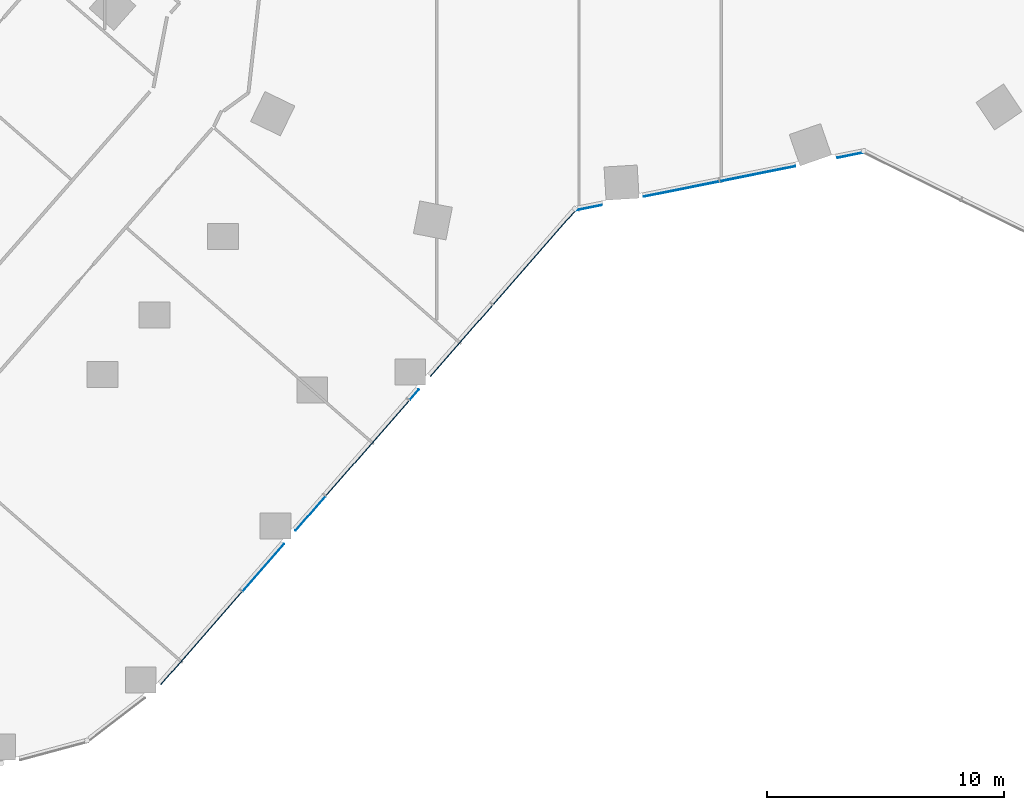
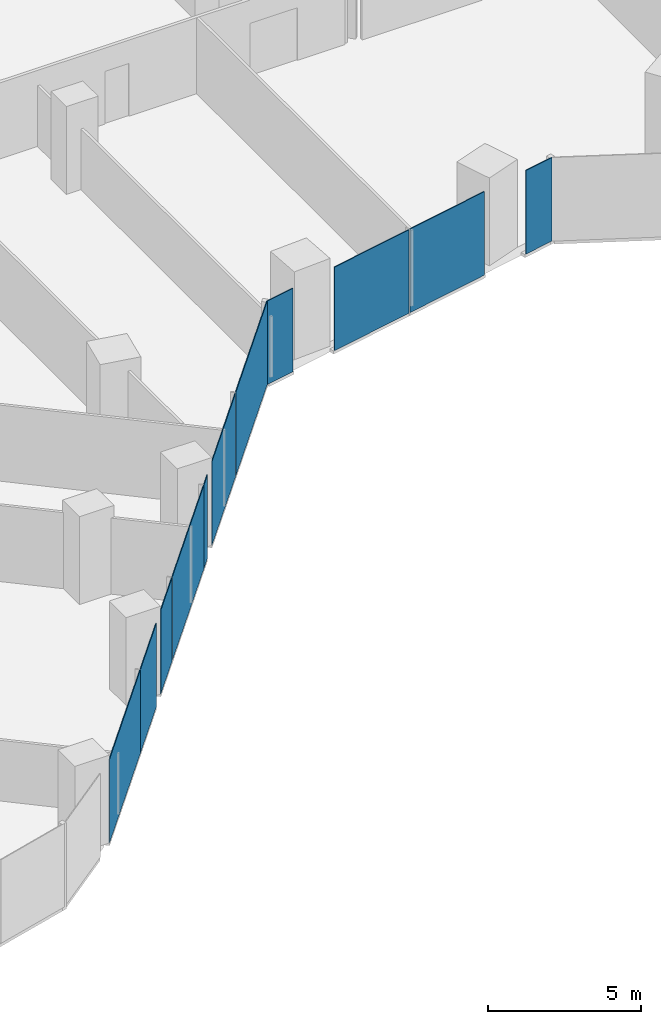
# One storey, part 19 of 38: 11 plates, 2 elements without a shape of their own.
"""IFC4 building model written with IfcOpenShell, lengths in metres."""

from ifc_helpers import new_model, si_unit, direction, frame, origin, origin_2d, place, context, subcontext, project, spatial, rectangle, extrude, material, layer, layer_set, type_object, element, aggregate, save


model = new_model("IFC4")

# Units and contexts
model_context = context("Model", 3, precision=1e-05, world=origin(), true_north=direction((0.0, 1.0)))
body_context = subcontext(model_context, "Body", "Model", "MODEL_VIEW")
ifc_project = project(units=[si_unit("LENGTHUNIT", "METRE"), si_unit("AREAUNIT", "SQUARE_METRE"), si_unit("VOLUMEUNIT", "CUBIC_METRE"), si_unit("PLANEANGLEUNIT", "RADIAN"), si_unit("MASSUNIT", "GRAM", prefix="KILO")], contexts=[model_context])

# Site, building, storey
site_placement = place(None, origin())
site = spatial("IfcSite", under=ifc_project, at=site_placement, CompositionType="ELEMENT")
building_placement = place(site_placement, origin())
building = spatial("IfcBuilding", under=site, at=building_placement, Name="Orlundy Tower", CompositionType="ELEMENT")
storey_placement = place(building_placement, frame((0.0, 0.0, 69.300048828125)))
storey = spatial("IfcBuildingStorey", under=building, at=storey_placement, Name="L16", CompositionType="ELEMENT", Elevation=69.300048828125)

# Curtain wall, plates
ifc_material_1 = material(Name="Aluminium bronze anodised", Category="aluminium")
curtain_wall_type = type_object("IfcCurtainWallType", Name="CW1 wall", PredefinedType="NOTDEFINED", material=ifc_material_1)
curtain_wall_1_placement = place(storey_placement, origin())
curtain_wall_1 = element("IfcCurtainWall", 1, at=curtain_wall_1_placement, inside=storey, type_object=curtain_wall_type, Name="CW1 run 01", PredefinedType="NOTDEFINED")
ifc_material_2 = material(Name="Tinted glass", Category="glass")
ifc_layer = layer(ifc_material_2, 0.031982421875)
ifc_layer_set = layer_set([ifc_layer], Name="CW1 glass panel 32")
plate_type = type_object("IfcPlateType", Name="CW1 glass panel 32", PredefinedType="CURTAIN_PANEL", material=ifc_layer_set)
plate_1_placement = place(storey_placement, frame((11.448486328125, -28.46923828125, -0.280029296875), z_axis=(0.0, 0.0, 1.0), x_axis=(-0.980497420907, -0.196531950572, 0.0)))
plate_1 = element("IfcPlate", 2, at=plate_1_placement, type_object=plate_type, Name="CW1 panel", PredefinedType="CURTAIN_PANEL", context=body_context, shape_type="SweptSolid", body=[
    extrude(rectangle(XDim=1.114013671875, YDim=0.031982421875, at=origin_2d()), origin(), (0.0, 0.0, 1.0), 3.330078125),
])
plate_2_placement = place(storey_placement, frame((7.536376953125, -29.25341796875, -0.280029296875), z_axis=(0.0, 0.0, 1.0), x_axis=(-0.980497420907, -0.196531950572, 0.0)))
plate_2 = element("IfcPlate", 3, at=plate_2_placement, type_object=plate_type, Name="CW1 panel", PredefinedType="CURTAIN_PANEL", context=body_context, shape_type="SweptSolid", body=[
    extrude(rectangle(XDim=3.2314453125, YDim=0.031982421875, at=origin_2d()), origin(), (0.0, 0.0, 1.0), 3.330078125),
])
plate_3_placement = place(storey_placement, frame((4.31884765625, -29.898193359375, -0.280029296875), z_axis=(0.0, 0.0, 1.0), x_axis=(-0.980497420907, -0.196531950572, 0.0)))
plate_3 = element("IfcPlate", 4, at=plate_3_placement, type_object=plate_type, Name="CW1 panel", PredefinedType="CURTAIN_PANEL", context=body_context, shape_type="SweptSolid", body=[
    extrude(rectangle(XDim=3.231689453125, YDim=0.031982421875, at=origin_2d()), origin(), (0.0, 0.0, 1.0), 3.330078125),
])
plate_4_placement = place(storey_placement, frame((0.40673828125, -30.682373046875, -0.280029296875), z_axis=(0.0, 0.0, 1.0), x_axis=(-0.980497420907, -0.196531950572, 0.0)))
plate_4 = element("IfcPlate", 5, at=plate_4_placement, type_object=plate_type, Name="CW1 panel", PredefinedType="CURTAIN_PANEL", context=body_context, shape_type="SweptSolid", body=[
    extrude(rectangle(XDim=1.11376953125, YDim=0.031982421875, at=origin_2d()), origin(), (0.0, 0.0, 1.0), 3.330078125),
])
aggregate(curtain_wall_1, [plate_1, plate_2, plate_3, plate_4])

curtain_wall_2_placement = place(storey_placement, origin())
curtain_wall_2 = element("IfcCurtainWall", 6, at=curtain_wall_2_placement, inside=storey, type_object=curtain_wall_type, Name="CW1 run 02", PredefinedType="NOTDEFINED")
plate_5_placement = place(storey_placement, frame((-1.875732421875, -32.77783203125, -0.280029296875), z_axis=(0.0, 0.0, 1.0), x_axis=(-0.658258754452, -0.752791745563, 0.0)))
plate_5 = element("IfcPlate", 7, at=plate_5_placement, type_object=plate_type, Name="CW1 panel", PredefinedType="CURTAIN_PANEL", context=body_context, shape_type="SweptSolid", body=[
    extrude(rectangle(XDim=5.276123046875, YDim=0.031982421875, at=origin_2d()), origin(), (0.0, 0.0, 1.0), 3.330078125),
])
plate_6_placement = place(storey_placement, frame((-4.95654296875, -36.301025390625, -0.280029296875), z_axis=(0.0, 0.0, 1.0), x_axis=(-0.658258754452, -0.752791745563, 0.0)))
plate_6 = element("IfcPlate", 8, at=plate_6_placement, type_object=plate_type, Name="CW1 panel", PredefinedType="CURTAIN_PANEL", context=body_context, shape_type="SweptSolid", body=[
    extrude(rectangle(XDim=3.984375, YDim=0.031982421875, at=origin_2d()), origin(), (0.0, 0.0, 1.0), 3.330078125),
])
plate_7_placement = place(storey_placement, frame((-6.948486328125, -38.5791015625, -0.280029296875), z_axis=(0.0, 0.0, 1.0), x_axis=(-0.658258754452, -0.752791745563, 0.0)))
plate_7 = element("IfcPlate", 9, at=plate_7_placement, type_object=plate_type, Name="CW1 panel", PredefinedType="CURTAIN_PANEL", context=body_context, shape_type="SweptSolid", body=[
    extrude(rectangle(XDim=0.576904296875, YDim=0.031982421875, at=origin_2d()), origin(), (0.0, 0.0, 1.0), 3.330078125),
])
plate_8_placement = place(storey_placement, frame((-8.91796875, -40.83154296875, -0.280029296875), z_axis=(0.0, 0.0, 1.0), x_axis=(-0.658258754452, -0.752791745563, 0.0)))
plate_8 = element("IfcPlate", 10, at=plate_8_placement, type_object=plate_type, Name="CW1 panel", PredefinedType="CURTAIN_PANEL", context=body_context, shape_type="SweptSolid", body=[
    extrude(rectangle(XDim=5.306884765625, YDim=0.031982421875, at=origin_2d()), origin(), (0.0, 0.0, 1.0), 3.330078125),
])
plate_9_placement = place(storey_placement, frame((-11.32421875, -43.583251953125, -0.280029296875), z_axis=(0.0, 0.0, 1.0), x_axis=(-0.658258754452, -0.752791745563, 0.0)))
plate_9 = element("IfcPlate", 11, at=plate_9_placement, type_object=plate_type, Name="CW1 panel", PredefinedType="CURTAIN_PANEL", context=body_context, shape_type="SweptSolid", body=[
    extrude(rectangle(XDim=1.904052734375, YDim=0.031982421875, at=origin_2d()), origin(), (0.0, 0.0, 1.0), 3.330078125),
])
plate_10_placement = place(storey_placement, frame((-13.316650390625, -45.86181640625, -0.280029296875), z_axis=(0.0, 0.0, 1.0), x_axis=(-0.658258754452, -0.752791745563, 0.0)))
plate_10 = element("IfcPlate", 12, at=plate_10_placement, type_object=plate_type, Name="CW1 panel", PredefinedType="CURTAIN_PANEL", context=body_context, shape_type="SweptSolid", body=[
    extrude(rectangle(XDim=2.65625, YDim=0.031982421875, at=origin_2d()), origin(), (0.0, 0.0, 1.0), 3.330078125),
])
plate_11_placement = place(storey_placement, frame((-15.930419921875, -48.850830078125, -0.280029296875), z_axis=(0.0, 0.0, 1.0), x_axis=(-0.658258754452, -0.752791745563, 0.0)))
plate_11 = element("IfcPlate", 13, at=plate_11_placement, type_object=plate_type, Name="CW1 panel", PredefinedType="CURTAIN_PANEL", context=body_context, shape_type="SweptSolid", body=[
    extrude(rectangle(XDim=5.185302734375, YDim=0.031982421875, at=origin_2d()), origin(), (0.0, 0.0, 1.0), 3.330078125),
])
aggregate(curtain_wall_2, [plate_5, plate_6, plate_7, plate_8, plate_9, plate_10, plate_11])

save(model, "model.ifc")
